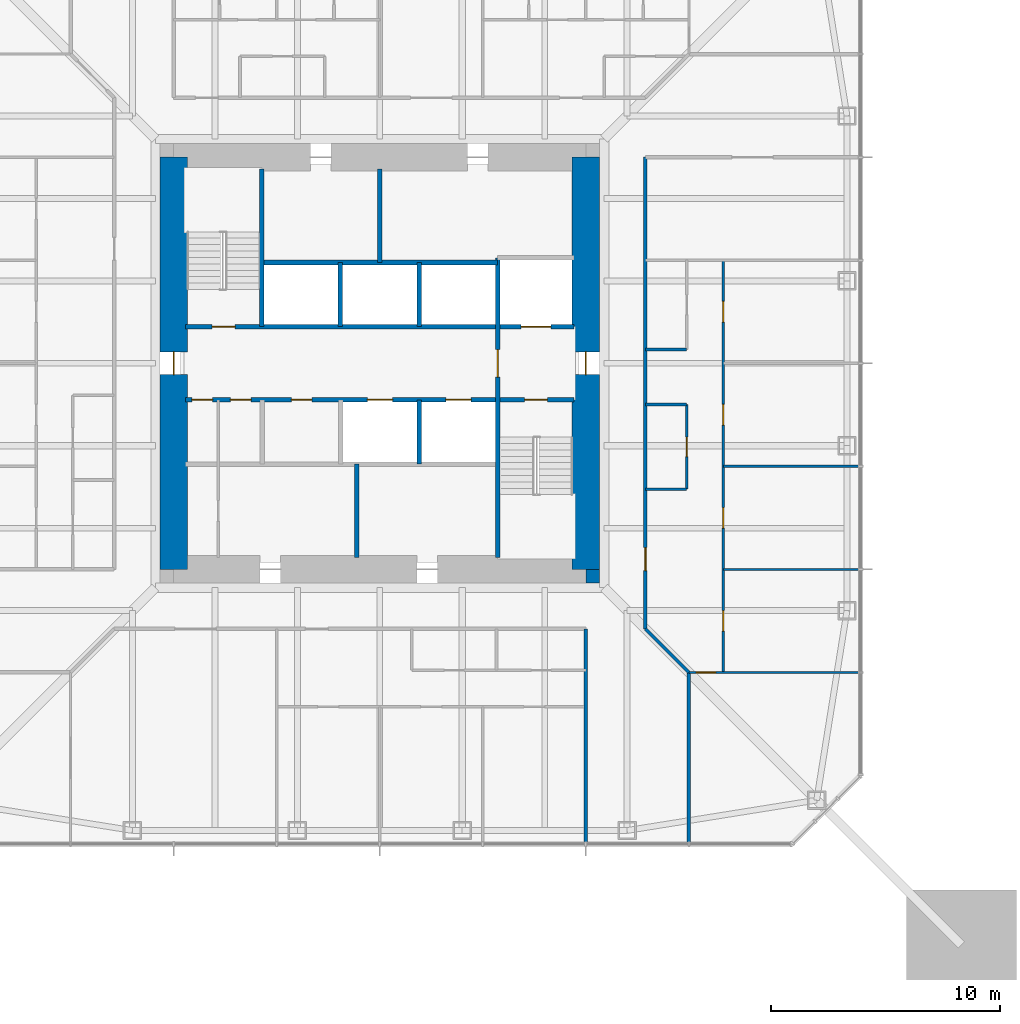
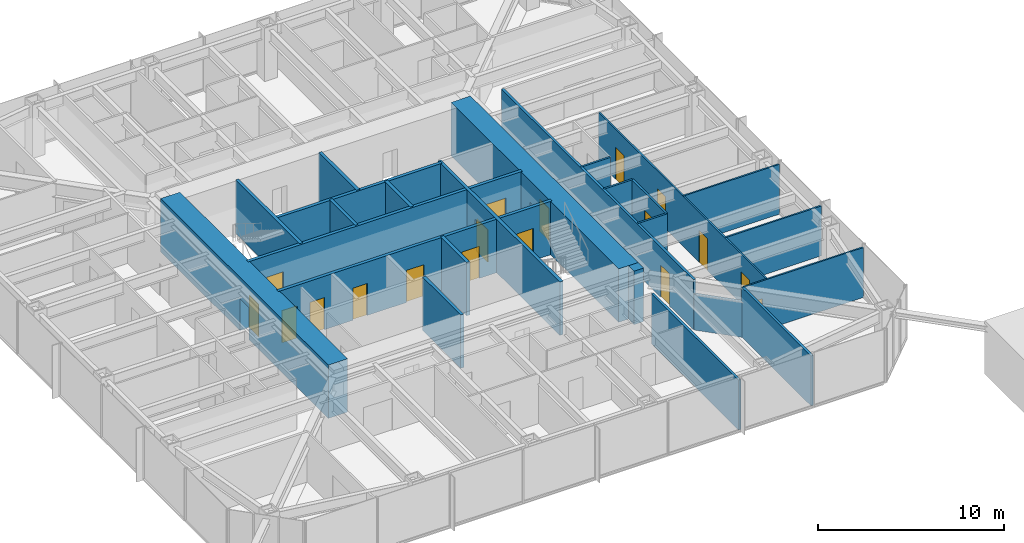
# One storey, part 14 of 25: 25 walls, 18 doors, 18 openings.
"""IFC4 building model written with IfcOpenShell, lengths in metres."""

from ifc_helpers import new_model, si_unit, direction, frame, frame_2d, origin, place, context, subcontext, project, spatial, rectangle, extrude, material, layer, layer_set, type_object, element, fill, save


model = new_model("IFC4")

# Units and contexts
model_context = context("Model", 3, precision=1e-05, world=origin(), true_north=direction((0.0, 1.0)))
body_context = subcontext(model_context, "Body", "Model", "MODEL_VIEW")
ifc_project = project(units=[si_unit("LENGTHUNIT", "METRE"), si_unit("AREAUNIT", "SQUARE_METRE"), si_unit("VOLUMEUNIT", "CUBIC_METRE"), si_unit("PLANEANGLEUNIT", "RADIAN"), si_unit("MASSUNIT", "GRAM", prefix="KILO")], contexts=[model_context])

# Site, building, storey
site_placement = place(None, origin())
site = spatial("IfcSite", under=ifc_project, at=site_placement, CompositionType="ELEMENT")
building_placement = place(site_placement, origin())
building = spatial("IfcBuilding", under=site, at=building_placement, Name="Iwan Alto Co-Living Towers", CompositionType="ELEMENT")
storey_placement = place(building_placement, frame((0.0, 0.0, 105.0)))
storey = spatial("IfcBuildingStorey", under=building, at=storey_placement, Name="L28", CompositionType="ELEMENT", Elevation=105.0)

# Wall
ifc_material_1 = material(Name="Gypsum board")
ifc_layer_1 = layer(ifc_material_1, 0.02490234375, Name="Board", Category="Finish")
ifc_material_2 = material(Name="Steel ASTM A1003 ST33H cold-formed studs", Category="steel")
ifc_layer_2 = layer(ifc_material_2, 0.10009765625, Name="Studs", Category="Framing")
ifc_layer_3 = layer(ifc_material_1, 0.02490234375, Name="Board", Category="Finish")
ifc_layer_set_1 = layer_set([ifc_layer_1, ifc_layer_2, ifc_layer_3], Name="CORRIDOR WALL 150")
wall_type_1 = type_object("IfcWallType", Name="CORRIDOR WALL 150", PredefinedType="PARTITIONING", material=ifc_layer_set_1)
wall_1_placement = place(storey_placement, frame((13.5, -20.93994140625, 0.0), z_axis=(0.0, 0.0, 1.0), x_axis=(0.0, 1.0, 0.0)))
element("IfcWall", 1, at=wall_1_placement, inside=storey, type_object=wall_type_1, Name="Partition L28", PredefinedType="PARTITIONING", context=body_context, shape_type="SweptSolid", body=[
    extrude(rectangle(XDim=7.43994140625, YDim=0.14990234375, at=frame_2d((3.719970703125, 0.0))), origin(), (0.0, 0.0, 1.0), 3.27001953125),
])

# Wall, opening, door
wall_2_placement = place(storey_placement, frame((11.60009765625, -11.60009765625, 0.0), z_axis=(0.0, 0.0, 1.0), x_axis=(0.0, 1.0, 0.0)))
wall_2 = element("IfcWall", 2, at=wall_2_placement, inside=storey, type_object=wall_type_1, Name="Partition L28", PredefinedType="PARTITIONING", context=body_context, shape_type="SweptSolid", body=[
    extrude(rectangle(XDim=20.60009765625, YDim=0.14990234375, at=frame_2d((10.300048828125, 0.0))), origin(), (0.0, 0.0, 1.0), 3.27001953125),
])
opening_1_placement = place(wall_2_placement, frame((2.550048828125, 0.0, 0.0)))
opening_1 = element("IfcOpeningElement", 3, at=opening_1_placement, cuts=wall_2, Name="Opening D3", PredefinedType="OPENING", context=body_context, shape_type="SweptSolid", body=[
    extrude(rectangle(XDim=1.0, YDim=2.10009765625, at=frame_2d((0.5, 1.050048828125))), frame((0.0, 0.0849609375, 0.0), z_axis=(0.0, -1.0, 0.0), x_axis=(1.0, 0.0, 0.0)), (0.0, 0.0, 1.0), 0.169921875),
])
ifc_material_3 = material(Name="Steel frame with timber leaf", Category="steel")
door_type_1 = type_object("IfcDoorType", Name="FLAT ENTRANCE DOOR FD30S 1000X2100", OperationType="SINGLE_SWING_LEFT", PredefinedType="DOOR", material=ifc_material_3)
door_1_placement = place(opening_1_placement, frame((1.0, 0.0, 0.0), z_axis=(0.0, 0.0, 1.0), x_axis=(-1.0, 0.0, 0.0)))
door_1 = element("IfcDoor", 4, at=door_1_placement, inside=storey, type_object=door_type_1, Name="Cluster lounge door L28", OperationType="SINGLE_SWING_LEFT", OverallHeight=2.10009765625, OverallWidth=1.0, PredefinedType="DOOR", context=body_context, shape_type="SweptSolid", body=[
    extrude(rectangle(XDim=1.0, YDim=2.10009765625, at=frame_2d((0.5, 1.050048828125))), frame((0.0, 0.02490234375, 0.0), z_axis=(0.0, -1.0, 0.0), x_axis=(1.0, 0.0, 0.0)), (0.0, 0.0, 1.0), 0.050048828125),
])
fill(opening_1, door_1)

# Walls
wall_3_placement = place(storey_placement, frame((9.0, -20.93994140625, 0.0), z_axis=(0.0, 0.0, 1.0), x_axis=(0.0, 1.0, 0.0)))
element("IfcWall", 5, at=wall_3_placement, inside=storey, type_object=wall_type_1, Name="Partition L28", PredefinedType="PARTITIONING", context=body_context, shape_type="SweptSolid", body=[
    extrude(rectangle(XDim=9.33984375, YDim=0.14990234375, at=frame_2d((4.669921875, 0.0))), origin(), (0.0, 0.0, 1.0), 3.27001953125),
])
wall_4_placement = place(storey_placement, frame((13.5, -13.5, 0.0), z_axis=(0.0, 0.0, 1.0), x_axis=(-0.707106781187, 0.707106781187, 0.0)))
element("IfcWall", 6, at=wall_4_placement, inside=storey, type_object=wall_type_1, Name="Partition L28", PredefinedType="PARTITIONING", context=body_context, shape_type="SweptSolid", body=[
    extrude(rectangle(XDim=2.686767578125, YDim=0.14990234375, at=frame_2d((1.34326171875, 0.0))), origin(), (0.0, 0.0, 1.0), 2.343017578125),
])

# Wall, opening, door
ifc_layer_4 = layer(ifc_material_1, 0.012451171875, Name="Board", Category="Finish")
ifc_layer_5 = layer(ifc_material_2, 0.074951171875, Name="Studs", Category="Framing")
ifc_layer_6 = layer(ifc_material_1, 0.012451171875, Name="Board", Category="Finish")
ifc_layer_set_2 = layer_set([ifc_layer_4, ifc_layer_5, ifc_layer_6], Name="PARTITION 100")
wall_type_2 = type_object("IfcWallType", Name="PARTITION 100", PredefinedType="PARTITIONING", material=ifc_layer_set_2)
wall_5_placement = place(storey_placement, frame((13.5, -13.5, 0.0), z_axis=(0.0, 0.0, 1.0), x_axis=(1.0, 0.0, 0.0)))
wall_5 = element("IfcWall", 7, at=wall_5_placement, inside=storey, type_object=wall_type_2, Name="Partition L28", PredefinedType="PARTITIONING", context=body_context, shape_type="SweptSolid", body=[
    extrude(rectangle(XDim=7.43994140625, YDim=0.10009765625, at=frame_2d((3.719970703125, 0.0))), origin(), (0.0, 0.0, 1.0), 3.27001953125),
])
opening_2_placement = place(wall_5_placement, frame((0.324951171875, 0.0, 0.0)))
opening_2 = element("IfcOpeningElement", 8, at=opening_2_placement, cuts=wall_5, Name="Opening D2", PredefinedType="OPENING", context=body_context, shape_type="SweptSolid", body=[
    extrude(rectangle(XDim=0.85009765625, YDim=2.10009765625, at=frame_2d((0.425048828125, 1.050048828125))), frame((0.0, 0.06005859375, 0.0), z_axis=(0.0, -1.0, 0.0), x_axis=(1.0, 0.0, 0.0)), (0.0, 0.0, 1.0), 0.1201171875),
])
ifc_material_4 = material(Name="Timber leaf in steel frame", Category="steel")
door_type_2 = type_object("IfcDoorType", Name="ROOM DOOR 850X2100", OperationType="SINGLE_SWING_LEFT", PredefinedType="DOOR", material=ifc_material_4)
door_2_placement = place(opening_2_placement, frame((0.85009765625, 0.0, 0.0), z_axis=(0.0, 0.0, 1.0), x_axis=(-1.0, 0.0, 0.0)))
door_2 = element("IfcDoor", 9, at=door_2_placement, inside=storey, type_object=door_type_2, Name="Shared kitchen and lounge door L28", OperationType="SINGLE_SWING_RIGHT", OverallHeight=2.10009765625, OverallWidth=0.85009765625, PredefinedType="DOOR", context=body_context, shape_type="SweptSolid", body=[
    extrude(rectangle(XDim=0.85009765625, YDim=2.10009765625, at=frame_2d((0.425048828125, 1.050048828125))), frame((0.0, 0.02490234375, 0.0), z_axis=(0.0, -1.0, 0.0), x_axis=(1.0, 0.0, 0.0)), (0.0, 0.0, 1.0), 0.050048828125),
])
fill(opening_2, door_2)

# Walls
for number, where, z_axis, x_axis, name in (
    (10, (15.0, -9.0, 0.0), (0.0, 0.0, 1.0), (1.0, 0.0, 0.0), "Partition L28"),
    (11, (15.0, -4.5, 0.0), (0.0, 0.0, 1.0), (1.0, 0.0, 0.0), "Partition L28"),
):
    element("IfcWall", number, at=place(storey_placement, frame(where, z_axis=z_axis, x_axis=x_axis)), inside=storey, type_object=wall_type_2, Name=name, PredefinedType="PARTITIONING", context=body_context, shape_type="SweptSolid", body=[
        extrude(rectangle(XDim=5.93994140625, YDim=0.10009765625, at=frame_2d((2.969970703125, 0.0))), origin(), (0.0, 0.0, 1.0), 3.27001953125),
    ])

# Wall, openings, doors
wall_6_placement = place(storey_placement, frame((15.0, -13.5, 0.0), z_axis=(0.0, 0.0, 1.0), x_axis=(0.0, 1.0, 0.0)))
wall_6 = element("IfcWall", 12, at=wall_6_placement, inside=storey, type_object=wall_type_2, Name="Partition L28", PredefinedType="PARTITIONING", context=body_context, shape_type="SweptSolid", body=[
    extrude(rectangle(XDim=18.0, YDim=0.10009765625, at=frame_2d((9.0, 0.0))), origin(), (0.0, 0.0, 1.0), 3.27001953125),
])
opening_3_placement = place(wall_6_placement, frame((1.800048828125, 0.0, 0.0)))
opening_3 = element("IfcOpeningElement", 13, at=opening_3_placement, cuts=wall_6, Name="Opening D1", PredefinedType="OPENING", context=body_context, shape_type="SweptSolid", body=[
    extrude(rectangle(XDim=0.89990234375, YDim=2.10009765625, at=frame_2d((0.449951171875, 1.050048828125))), frame((0.0, 0.06005859375, 0.0), z_axis=(0.0, -1.0, 0.0), x_axis=(1.0, 0.0, 0.0)), (0.0, 0.0, 1.0), 0.1201171875),
])
opening_4_placement = place(wall_6_placement, frame((6.300048828125, 0.0, 0.0)))
opening_4 = element("IfcOpeningElement", 14, at=opening_4_placement, cuts=wall_6, Name="Opening D1", PredefinedType="OPENING", context=body_context, shape_type="SweptSolid", body=[
    extrude(rectangle(XDim=0.89990234375, YDim=2.10009765625, at=frame_2d((0.449951171875, 1.050048828125))), frame((0.0, 0.06005859375, 0.0), z_axis=(0.0, -1.0, 0.0), x_axis=(1.0, 0.0, 0.0)), (0.0, 0.0, 1.0), 0.1201171875),
])
opening_5_placement = place(wall_6_placement, frame((10.800048828125, 0.0, 0.0)))
opening_5 = element("IfcOpeningElement", 15, at=opening_5_placement, cuts=wall_6, Name="Opening D1", PredefinedType="OPENING", context=body_context, shape_type="SweptSolid", body=[
    extrude(rectangle(XDim=0.89990234375, YDim=2.10009765625, at=frame_2d((0.449951171875, 1.050048828125))), frame((0.0, 0.06005859375, 0.0), z_axis=(0.0, -1.0, 0.0), x_axis=(1.0, 0.0, 0.0)), (0.0, 0.0, 1.0), 0.1201171875),
])
opening_6_placement = place(wall_6_placement, frame((15.300048828125, 0.0, 0.0)))
opening_6 = element("IfcOpeningElement", 16, at=opening_6_placement, cuts=wall_6, Name="Opening D1", PredefinedType="OPENING", context=body_context, shape_type="SweptSolid", body=[
    extrude(rectangle(XDim=0.89990234375, YDim=2.10009765625, at=frame_2d((0.449951171875, 1.050048828125))), frame((0.0, 0.06005859375, 0.0), z_axis=(0.0, -1.0, 0.0), x_axis=(1.0, 0.0, 0.0)), (0.0, 0.0, 1.0), 0.1201171875),
])
ifc_material_5 = material(Name="Timber leaf in steel frame", Category="steel")
door_type_3 = type_object("IfcDoorType", Name="BEDROOM DOOR 900X2100", OperationType="SINGLE_SWING_LEFT", PredefinedType="DOOR", material=ifc_material_5)
door_3_placement = place(opening_3_placement, origin())
door_3 = element("IfcDoor", 17, at=door_3_placement, inside=storey, type_object=door_type_3, Name="Study bedroom door L28", OperationType="SINGLE_SWING_LEFT", OverallHeight=2.10009765625, OverallWidth=0.89990234375, PredefinedType="DOOR", context=body_context, shape_type="SweptSolid", body=[
    extrude(rectangle(XDim=0.89990234375, YDim=2.10009765625, at=frame_2d((0.449951171875, 1.050048828125))), frame((0.0, 0.02490234375, 0.0), z_axis=(0.0, -1.0, 0.0), x_axis=(1.0, 0.0, 0.0)), (0.0, 0.0, 1.0), 0.050048828125),
])
fill(opening_3, door_3)
door_4_placement = place(opening_4_placement, origin())
door_4 = element("IfcDoor", 18, at=door_4_placement, inside=storey, type_object=door_type_3, Name="Study bedroom door L28", OperationType="SINGLE_SWING_LEFT", OverallHeight=2.10009765625, OverallWidth=0.89990234375, PredefinedType="DOOR", context=body_context, shape_type="SweptSolid", body=[
    extrude(rectangle(XDim=0.89990234375, YDim=2.10009765625, at=frame_2d((0.449951171875, 1.050048828125))), frame((0.0, 0.02490234375, 0.0), z_axis=(0.0, -1.0, 0.0), x_axis=(1.0, 0.0, 0.0)), (0.0, 0.0, 1.0), 0.050048828125),
])
fill(opening_4, door_4)
door_5_placement = place(opening_5_placement, origin())
door_5 = element("IfcDoor", 19, at=door_5_placement, inside=storey, type_object=door_type_3, Name="Study bedroom door L28", OperationType="SINGLE_SWING_RIGHT", OverallHeight=2.10009765625, OverallWidth=0.89990234375, PredefinedType="DOOR", context=body_context, shape_type="SweptSolid", body=[
    extrude(rectangle(XDim=0.89990234375, YDim=2.10009765625, at=frame_2d((0.449951171875, 1.050048828125))), frame((0.0, 0.02490234375, 0.0), z_axis=(0.0, -1.0, 0.0), x_axis=(1.0, 0.0, 0.0)), (0.0, 0.0, 1.0), 0.050048828125),
])
fill(opening_5, door_5)
door_6_placement = place(opening_6_placement, origin())
door_6 = element("IfcDoor", 20, at=door_6_placement, inside=storey, type_object=door_type_3, Name="Study bedroom door L28", OperationType="SINGLE_SWING_RIGHT", OverallHeight=2.10009765625, OverallWidth=0.89990234375, PredefinedType="DOOR", context=body_context, shape_type="SweptSolid", body=[
    extrude(rectangle(XDim=0.89990234375, YDim=2.10009765625, at=frame_2d((0.449951171875, 1.050048828125))), frame((0.0, 0.02490234375, 0.0), z_axis=(0.0, -1.0, 0.0), x_axis=(1.0, 0.0, 0.0)), (0.0, 0.0, 1.0), 0.050048828125),
])
fill(opening_6, door_6)

ifc_material_6 = material(Name="Concrete f'c 70 MPa", Category="concrete")
ifc_layer_7 = layer(ifc_material_6, 0.199951171875)
ifc_layer_set_3 = layer_set([ifc_layer_7], Name="SHAFT WALL 200")
wall_type_3 = type_object("IfcWallType", Name="SHAFT WALL 200", PredefinedType="SOLIDWALL", material=ifc_layer_set_3)
wall_7_placement = place(storey_placement, frame((-8.489990234375, -1.60009765625, 0.0), z_axis=(0.0, 0.0, 1.0), x_axis=(1.0, 0.0, 0.0)))
wall_7 = element("IfcWall", 21, at=wall_7_placement, inside=storey, type_object=wall_type_3, Name="Shaft wall L28", PredefinedType="SOLIDWALL", context=body_context, shape_type="SweptSolid", body=[
    extrude(rectangle(XDim=16.97998046875, YDim=0.199951171875, at=frame_2d((8.489990234375, 0.0))), origin(), (0.0, 0.0, 1.0), 3.5),
])
opening_7_placement = place(wall_7_placement, frame((14.81005859375, 0.0, 0.0)))
opening_7 = element("IfcOpeningElement", 22, at=opening_7_placement, cuts=wall_7, Name="Opening D5", PredefinedType="OPENING", context=body_context, shape_type="SweptSolid", body=[
    extrude(rectangle(XDim=1.0, YDim=2.10009765625, at=frame_2d((0.5, 1.050048828125))), frame((0.0, 0.10986328125, 0.0), z_axis=(0.0, -1.0, 0.0), x_axis=(1.0, 0.0, 0.0)), (0.0, 0.0, 1.0), 0.219970703125),
])
opening_8_placement = place(wall_7_placement, frame((1.972900390625, 0.0, 0.0)))
opening_8 = element("IfcOpeningElement", 23, at=opening_8_placement, cuts=wall_7, Name="Opening D15", PredefinedType="OPENING", context=body_context, shape_type="SweptSolid", body=[
    extrude(rectangle(XDim=0.89990234375, YDim=2.10009765625, at=frame_2d((0.449951171875, 1.050048828125))), frame((0.0, 0.10986328125, 0.0), z_axis=(0.0, -1.0, 0.0), x_axis=(1.0, 0.0, 0.0)), (0.0, 0.0, 1.0), 0.219970703125),
])
opening_9_placement = place(wall_7_placement, frame((0.2900390625, 0.0, 0.0)))
opening_9 = element("IfcOpeningElement", 24, at=opening_9_placement, cuts=wall_7, Name="Opening D15", PredefinedType="OPENING", context=body_context, shape_type="SweptSolid", body=[
    extrude(rectangle(XDim=0.89990234375, YDim=2.10009765625, at=frame_2d((0.449951171875, 1.050048828125))), frame((0.0, 0.10986328125, 0.0), z_axis=(0.0, -1.0, 0.0), x_axis=(1.0, 0.0, 0.0)), (0.0, 0.0, 1.0), 0.219970703125),
])
opening_10_placement = place(wall_7_placement, frame((4.626953125, 0.0, 0.0)))
opening_10 = element("IfcOpeningElement", 25, at=opening_10_placement, cuts=wall_7, Name="Opening D15", PredefinedType="OPENING", context=body_context, shape_type="SweptSolid", body=[
    extrude(rectangle(XDim=0.89990234375, YDim=2.10009765625, at=frame_2d((0.449951171875, 1.050048828125))), frame((0.0, 0.10986328125, 0.0), z_axis=(0.0, -1.0, 0.0), x_axis=(1.0, 0.0, 0.0)), (0.0, 0.0, 1.0), 0.219970703125),
])
opening_11_placement = place(wall_7_placement, frame((7.952880859375, 0.0, 0.0)))
opening_11 = element("IfcOpeningElement", 26, at=opening_11_placement, cuts=wall_7, Name="Opening LD", PredefinedType="OPENING", context=body_context, shape_type="SweptSolid", body=[
    extrude(rectangle(XDim=1.10009765625, YDim=2.10009765625, at=frame_2d((0.550048828125, 1.050048828125))), frame((0.0, 0.10986328125, 0.0), z_axis=(0.0, -1.0, 0.0), x_axis=(1.0, 0.0, 0.0)), (0.0, 0.0, 1.0), 0.219970703125),
])
opening_12_placement = place(wall_7_placement, frame((11.3779296875, 0.0, 0.0)))
opening_12 = element("IfcOpeningElement", 27, at=opening_12_placement, cuts=wall_7, Name="Opening LD", PredefinedType="OPENING", context=body_context, shape_type="SweptSolid", body=[
    extrude(rectangle(XDim=1.10009765625, YDim=2.10009765625, at=frame_2d((0.550048828125, 1.050048828125))), frame((0.0, 0.10986328125, 0.0), z_axis=(0.0, -1.0, 0.0), x_axis=(1.0, 0.0, 0.0)), (0.0, 0.0, 1.0), 0.219970703125),
])
ifc_material_7 = material(Name="Steel frame with timber leaf", Category="steel")
door_type_4 = type_object("IfcDoorType", Name="CORE ROOM DOOR FD60S 900X2100", OperationType="SINGLE_SWING_LEFT", PredefinedType="DOOR", material=ifc_material_7)
door_7_placement = place(opening_8_placement, frame((0.89990234375, 0.0, 0.0), z_axis=(0.0, 0.0, 1.0), x_axis=(-1.0, 0.0, 0.0)))
door_7 = element("IfcDoor", 28, at=door_7_placement, inside=storey, type_object=door_type_4, Name="Cleaner's store door L28", OperationType="SINGLE_SWING_RIGHT", OverallHeight=2.10009765625, OverallWidth=0.89990234375, PredefinedType="DOOR", context=body_context, shape_type="SweptSolid", body=[
    extrude(rectangle(XDim=0.89990234375, YDim=2.10009765625, at=frame_2d((0.449951171875, 1.050048828125))), frame((0.0, 0.02490234375, 0.0), z_axis=(0.0, -1.0, 0.0), x_axis=(1.0, 0.0, 0.0)), (0.0, 0.0, 1.0), 0.050048828125),
])
fill(opening_8, door_7)
door_8_placement = place(opening_9_placement, frame((0.89990234375, 0.0, 0.0), z_axis=(0.0, 0.0, 1.0), x_axis=(-1.0, 0.0, 0.0)))
door_8 = element("IfcDoor", 29, at=door_8_placement, inside=storey, type_object=door_type_4, Name="Vending and ice room door L28", OperationType="SINGLE_SWING_LEFT", OverallHeight=2.10009765625, OverallWidth=0.89990234375, PredefinedType="DOOR", context=body_context, shape_type="SweptSolid", body=[
    extrude(rectangle(XDim=0.89990234375, YDim=2.10009765625, at=frame_2d((0.449951171875, 1.050048828125))), frame((0.0, 0.02490234375, 0.0), z_axis=(0.0, -1.0, 0.0), x_axis=(1.0, 0.0, 0.0)), (0.0, 0.0, 1.0), 0.050048828125),
])
fill(opening_9, door_8)
door_9_placement = place(opening_10_placement, frame((0.89990234375, 0.0, 0.0), z_axis=(0.0, 0.0, 1.0), x_axis=(-1.0, 0.0, 0.0)))
door_9 = element("IfcDoor", 30, at=door_9_placement, inside=storey, type_object=door_type_4, Name="Staff WC door L28", OperationType="SINGLE_SWING_RIGHT", OverallHeight=2.10009765625, OverallWidth=0.89990234375, PredefinedType="DOOR", context=body_context, shape_type="SweptSolid", body=[
    extrude(rectangle(XDim=0.89990234375, YDim=2.10009765625, at=frame_2d((0.449951171875, 1.050048828125))), frame((0.0, 0.02490234375, 0.0), z_axis=(0.0, -1.0, 0.0), x_axis=(1.0, 0.0, 0.0)), (0.0, 0.0, 1.0), 0.050048828125),
])
fill(opening_10, door_9)
ifc_material_8 = material(Name="Steel frame with timber leaf", Category="steel")
door_type_5 = type_object("IfcDoorType", Name="LIFT LANDING DOOR 1100X2100", OperationType="DOUBLE_DOOR_SLIDING", PredefinedType="DOOR", material=ifc_material_8)
door_10_placement = place(opening_11_placement, origin())
door_10 = element("IfcDoor", 31, at=door_10_placement, inside=storey, type_object=door_type_5, Name="Lift P2-3 landing door L28", OperationType="DOUBLE_DOOR_SLIDING", OverallHeight=2.10009765625, OverallWidth=1.10009765625, PredefinedType="DOOR", context=body_context, shape_type="SweptSolid", body=[
    extrude(rectangle(XDim=1.10009765625, YDim=2.10009765625, at=frame_2d((0.550048828125, 1.050048828125))), frame((0.0, 0.02490234375, 0.0), z_axis=(0.0, -1.0, 0.0), x_axis=(1.0, 0.0, 0.0)), (0.0, 0.0, 1.0), 0.050048828125),
])
fill(opening_11, door_10)
door_11_placement = place(opening_12_placement, origin())
door_11 = element("IfcDoor", 32, at=door_11_placement, inside=storey, type_object=door_type_5, Name="Lift P2-4 landing door L28", OperationType="DOUBLE_DOOR_SLIDING", OverallHeight=2.10009765625, OverallWidth=1.10009765625, PredefinedType="DOOR", context=body_context, shape_type="SweptSolid", body=[
    extrude(rectangle(XDim=1.10009765625, YDim=2.10009765625, at=frame_2d((0.550048828125, 1.050048828125))), frame((0.0, 0.02490234375, 0.0), z_axis=(0.0, -1.0, 0.0), x_axis=(1.0, 0.0, 0.0)), (0.0, 0.0, 1.0), 0.050048828125),
])
fill(opening_12, door_11)
ifc_material_9 = material(Name="Steel frame with timber leaf", Category="steel")
door_type_6 = type_object("IfcDoorType", Name="STAIR DOOR FD120S 1000X2100", OperationType="SINGLE_SWING_LEFT", PredefinedType="DOOR", material=ifc_material_9)
door_12_placement = place(opening_7_placement, frame((1.0, 0.0, 0.0), z_axis=(0.0, 0.0, 1.0), x_axis=(-1.0, 0.0, 0.0)))
door_12 = element("IfcDoor", 33, at=door_12_placement, inside=storey, type_object=door_type_6, Name="Stair S2 door L28", OperationType="SINGLE_SWING_RIGHT", OverallHeight=2.10009765625, OverallWidth=1.0, PredefinedType="DOOR", context=body_context, shape_type="SweptSolid", body=[
    extrude(rectangle(XDim=1.0, YDim=2.10009765625, at=frame_2d((0.5, 1.050048828125))), frame((0.0, 0.02490234375, 0.0), z_axis=(0.0, -1.0, 0.0), x_axis=(1.0, 0.0, 0.0)), (0.0, 0.0, 1.0), 0.050048828125),
])
fill(opening_7, door_12)

wall_8_placement = place(storey_placement, frame((-8.489990234375, 1.60009765625, 0.0), z_axis=(0.0, 0.0, 1.0), x_axis=(1.0, 0.0, 0.0)))
wall_8 = element("IfcWall", 34, at=wall_8_placement, inside=storey, type_object=wall_type_3, Name="Shaft wall L28", PredefinedType="SOLIDWALL", context=body_context, shape_type="SweptSolid", body=[
    extrude(rectangle(XDim=16.97998046875, YDim=0.199951171875, at=frame_2d((8.489990234375, 0.0))), origin(), (0.0, 0.0, 1.0), 3.5),
])
opening_13_placement = place(wall_8_placement, frame((1.169921875, 0.0, 0.0)))
opening_13 = element("IfcOpeningElement", 35, at=opening_13_placement, cuts=wall_8, Name="Opening D5", PredefinedType="OPENING", context=body_context, shape_type="SweptSolid", body=[
    extrude(rectangle(XDim=1.0, YDim=2.10009765625, at=frame_2d((0.5, 1.050048828125))), frame((0.0, 0.10986328125, 0.0), z_axis=(0.0, -1.0, 0.0), x_axis=(1.0, 0.0, 0.0)), (0.0, 0.0, 1.0), 0.219970703125),
])
opening_14_placement = place(wall_8_placement, frame((14.659912109375, 0.0, 0.0)))
opening_14 = element("IfcOpeningElement", 36, at=opening_14_placement, cuts=wall_8, Name="Opening LD2", PredefinedType="OPENING", context=body_context, shape_type="SweptSolid", body=[
    extrude(rectangle(XDim=1.300048828125, YDim=2.10009765625, at=frame_2d((0.64990234375, 1.050048828125))), frame((0.0, 0.10986328125, 0.0), z_axis=(0.0, -1.0, 0.0), x_axis=(1.0, 0.0, 0.0)), (0.0, 0.0, 1.0), 0.219970703125),
])
ifc_material_10 = material(Name="Steel frame with timber leaf", Category="steel")
door_type_7 = type_object("IfcDoorType", Name="LIFT LANDING DOOR 1300X2100", OperationType="SLIDING_TO_LEFT", PredefinedType="DOOR", material=ifc_material_10)
door_13_placement = place(opening_14_placement, origin())
door_13 = element("IfcDoor", 37, at=door_13_placement, inside=storey, type_object=door_type_7, Name="Lift FL1 landing door L28", OperationType="SLIDING_TO_LEFT", OverallHeight=2.10009765625, OverallWidth=1.300048828125, PredefinedType="DOOR", context=body_context, shape_type="SweptSolid", body=[
    extrude(rectangle(XDim=1.300048828125, YDim=2.10009765625, at=frame_2d((0.64990234375, 1.050048828125))), frame((0.0, 0.02490234375, 0.0), z_axis=(0.0, -1.0, 0.0), x_axis=(1.0, 0.0, 0.0)), (0.0, 0.0, 1.0), 0.050048828125),
])
fill(opening_14, door_13)
door_14_placement = place(opening_13_placement, origin())
door_14 = element("IfcDoor", 38, at=door_14_placement, inside=storey, type_object=door_type_6, Name="Stair S1 door L28", OperationType="SINGLE_SWING_RIGHT", OverallHeight=2.10009765625, OverallWidth=1.0, PredefinedType="DOOR", context=body_context, shape_type="SweptSolid", body=[
    extrude(rectangle(XDim=1.0, YDim=2.10009765625, at=frame_2d((0.5, 1.050048828125))), frame((0.0, 0.02490234375, 0.0), z_axis=(0.0, -1.0, 0.0), x_axis=(1.0, 0.0, 0.0)), (0.0, 0.0, 1.0), 0.050048828125),
])
fill(opening_13, door_14)

# Wall
wall_9_placement = place(storey_placement, frame((-5.14990234375, 4.39990234375, 0.0), z_axis=(0.0, 0.0, 1.0), x_axis=(1.0, 0.0, 0.0)))
element("IfcWall", 39, at=wall_9_placement, inside=storey, type_object=wall_type_3, Name="Shaft wall L28", PredefinedType="SOLIDWALL", context=body_context, shape_type="SweptSolid", body=[
    extrude(rectangle(XDim=10.2998046875, YDim=0.199951171875, at=frame_2d((5.14990234375, 0.0))), origin(), (0.0, 0.0, 1.0), 3.5),
])

# Wall, opening, door
wall_10_placement = place(storey_placement, frame((5.14990234375, -8.489990234375, 0.0), z_axis=(0.0, 0.0, 1.0), x_axis=(0.0, 1.0, 0.0)))
wall_10 = element("IfcWall", 40, at=wall_10_placement, inside=storey, type_object=wall_type_3, Name="Shaft wall L28", PredefinedType="SOLIDWALL", context=body_context, shape_type="SweptSolid", body=[
    extrude(rectangle(XDim=13.090087890625, YDim=0.199951171875, at=frame_2d((6.544921875, 0.0))), origin(), (0.0, 0.0, 1.0), 3.5),
])
opening_15_placement = place(wall_10_placement, frame((7.889892578125, 0.0, 0.0)))
opening_15 = element("IfcOpeningElement", 41, at=opening_15_placement, cuts=wall_10, Name="Opening D6", PredefinedType="OPENING", context=body_context, shape_type="SweptSolid", body=[
    extrude(rectangle(XDim=1.199951171875, YDim=2.10009765625, at=frame_2d((0.60009765625, 1.050048828125))), frame((0.0, 0.10986328125, 0.0), z_axis=(0.0, -1.0, 0.0), x_axis=(1.0, 0.0, 0.0)), (0.0, 0.0, 1.0), 0.219970703125),
])
ifc_material_11 = material(Name="Steel frame with timber leaf", Category="steel")
door_type_8 = type_object("IfcDoorType", Name="LOBBY DOOR FD120S 1200X2100", OperationType="SINGLE_SWING_LEFT", PredefinedType="DOOR", material=ifc_material_11)
door_15_placement = place(opening_15_placement, frame((1.199951171875, 0.0, 0.0), z_axis=(0.0, 0.0, 1.0), x_axis=(-1.0, 0.0, 0.0)))
door_15 = element("IfcDoor", 42, at=door_15_placement, inside=storey, type_object=door_type_8, Name="Firefighting lobby door L28", OperationType="SINGLE_SWING_RIGHT", OverallHeight=2.10009765625, OverallWidth=1.199951171875, PredefinedType="DOOR", context=body_context, shape_type="SweptSolid", body=[
    extrude(rectangle(XDim=1.199951171875, YDim=2.10009765625, at=frame_2d((0.60009765625, 1.050048828125))), frame((0.0, 0.02490234375, 0.0), z_axis=(0.0, -1.0, 0.0), x_axis=(1.0, 0.0, 0.0)), (0.0, 0.0, 1.0), 0.050048828125),
])
fill(opening_15, door_15)

# Walls
for number, where, z_axis, x_axis, name in (
    (43, (1.72509765625, -4.39990234375, 0.0), (0.0, 0.0, 1.0), (0.0, 1.0, 0.0), "Shaft wall L28"),
    (44, (1.717041015625, 1.60009765625, 0.0), (0.0, 0.0, 1.0), (0.0, 1.0, 0.0), "Shaft wall L28"),
):
    element("IfcWall", number, at=place(storey_placement, frame(where, z_axis=z_axis, x_axis=x_axis)), inside=storey, type_object=wall_type_3, Name=name, PredefinedType="SOLIDWALL", context=body_context, shape_type="SweptSolid", body=[
        extrude(rectangle(XDim=2.7998046875, YDim=0.199951171875, at=frame_2d((1.39990234375, 0.0))), origin(), (0.0, 0.0, 1.0), 3.5),
    ])
for number, where, z_axis, x_axis, name in (
    (45, (0.0, 4.39990234375, 0.0), (0.0, 0.0, 1.0), (0.0, 1.0, 0.0), "Shaft wall L28"),
    (46, (-1.0, -8.489990234375, 0.0), (0.0, 0.0, 1.0), (0.0, 1.0, 0.0), "Shaft wall L28"),
):
    element("IfcWall", number, at=place(storey_placement, frame(where, z_axis=z_axis, x_axis=x_axis)), inside=storey, type_object=wall_type_3, Name=name, PredefinedType="SOLIDWALL", context=body_context, shape_type="SweptSolid", body=[
        extrude(rectangle(XDim=4.090087890625, YDim=0.199951171875, at=frame_2d((2.044921875, 0.0))), origin(), (0.0, 0.0, 1.0), 3.5),
    ])
wall_11_placement = place(storey_placement, frame((-1.717041015625, 1.60009765625, 0.0), z_axis=(0.0, 0.0, 1.0), x_axis=(0.0, 1.0, 0.0)))
element("IfcWall", 47, at=wall_11_placement, inside=storey, type_object=wall_type_3, Name="Shaft wall L28", PredefinedType="SOLIDWALL", context=body_context, shape_type="SweptSolid", body=[
    extrude(rectangle(XDim=2.7998046875, YDim=0.199951171875, at=frame_2d((1.39990234375, 0.0))), origin(), (0.0, 0.0, 1.0), 3.5),
])
wall_12_placement = place(storey_placement, frame((-5.14990234375, 1.60009765625, 0.0), z_axis=(0.0, 0.0, 1.0), x_axis=(0.0, 1.0, 0.0)))
element("IfcWall", 48, at=wall_12_placement, inside=storey, type_object=wall_type_3, Name="Shaft wall L28", PredefinedType="SOLIDWALL", context=body_context, shape_type="SweptSolid", body=[
    extrude(rectangle(XDim=6.889892578125, YDim=0.199951171875, at=frame_2d((3.44482421875, 0.0))), origin(), (0.0, 0.0, 1.0), 3.5),
])
ifc_material_12 = material(Name="Concrete f'c 70 MPa", Category="concrete")
ifc_layer_8 = layer(ifc_material_12, 0.60009765625)
ifc_layer_set_4 = layer_set([ifc_layer_8], Name="T1 CORE CORNER FILL 600")
wall_type_4 = type_object("IfcWallType", Name="T1 CORE CORNER FILL 600", PredefinedType="SOLIDWALL", material=ifc_layer_set_4)
wall_13_placement = place(storey_placement, frame((9.0, -9.300048828125, 0.0), z_axis=(0.0, 0.0, 1.0), x_axis=(1.0, 0.0, 0.0)))
element("IfcWall", 49, at=wall_13_placement, inside=storey, type_object=wall_type_4, Name="T1 core corner SE L28", PredefinedType="SOLIDWALL", context=body_context, shape_type="SweptSolid", body=[
    extrude(rectangle(XDim=0.60009765625, YDim=0.60009765625, at=frame_2d((0.300048828125, 0.0))), origin(), (0.0, 0.0, 1.0), 3.5),
])

# Wall, opening, door
ifc_material_13 = material(Name="Concrete f'c 70 MPa", Category="concrete")
ifc_layer_9 = layer(ifc_material_13, 1.199951171875)
ifc_layer_set_5 = layer_set([ifc_layer_9], Name="T1 CORE WALL 1200")
wall_type_5 = type_object("IfcWallType", Name="T1 CORE WALL 1200", PredefinedType="SHEAR", material=ifc_layer_set_5)
wall_14_placement = place(storey_placement, frame((9.0, -9.0, 0.0), z_axis=(0.0, 0.0, 1.0), x_axis=(0.0, 1.0, 0.0)))
wall_14 = element("IfcWall", 50, at=wall_14_placement, inside=storey, type_object=wall_type_5, Name="T1 core wall E L28", PredefinedType="SHEAR", context=body_context, shape_type="SweptSolid", body=[
    extrude(rectangle(XDim=18.0, YDim=1.199951171875, at=frame_2d((9.0, 0.0))), origin(), (0.0, 0.0, 1.0), 3.5),
])
opening_16_placement = place(wall_14_placement, frame((8.5, 0.0, 0.0)))
opening_16 = element("IfcOpeningElement", 51, at=opening_16_placement, cuts=wall_14, Name="Opening D7", PredefinedType="OPENING", context=body_context, shape_type="SweptSolid", body=[
    extrude(rectangle(XDim=1.0, YDim=2.10009765625, at=frame_2d((0.5, 1.050048828125))), frame((0.0, 0.60986328125, 0.0), z_axis=(0.0, -1.0, 0.0), x_axis=(1.0, 0.0, 0.0)), (0.0, 0.0, 1.0), 1.219970703125),
])
ifc_material_14 = material(Name="Steel frame with timber leaf", Category="steel")
door_type_9 = type_object("IfcDoorType", Name="CORE DOOR FD120S 1000X2100", OperationType="SINGLE_SWING_LEFT", PredefinedType="DOOR", material=ifc_material_14)
door_16_placement = place(opening_16_placement, origin())
door_16 = element("IfcDoor", 52, at=door_16_placement, inside=storey, type_object=door_type_9, Name="Firefighting lobby core door L28", OperationType="SINGLE_SWING_LEFT", OverallHeight=2.10009765625, OverallWidth=1.0, PredefinedType="DOOR", context=body_context, shape_type="SweptSolid", body=[
    extrude(rectangle(XDim=1.0, YDim=2.10009765625, at=frame_2d((0.5, 1.050048828125))), frame((0.0, 0.02490234375, 0.0), z_axis=(0.0, -1.0, 0.0), x_axis=(1.0, 0.0, 0.0)), (0.0, 0.0, 1.0), 0.050048828125),
])
fill(opening_16, door_16)

wall_15_placement = place(storey_placement, frame((-9.0, 9.0, 0.0), z_axis=(0.0, 0.0, 1.0), x_axis=(0.0, -1.0, 0.0)))
wall_15 = element("IfcWall", 53, at=wall_15_placement, inside=storey, type_object=wall_type_5, Name="T1 core wall W L28", PredefinedType="SHEAR", context=body_context, shape_type="SweptSolid", body=[
    extrude(rectangle(XDim=18.0, YDim=1.199951171875, at=frame_2d((9.0, 0.0))), origin(), (0.0, 0.0, 1.0), 3.5),
])
opening_17_placement = place(wall_15_placement, frame((8.5, 0.0, 0.0)))
opening_17 = element("IfcOpeningElement", 54, at=opening_17_placement, cuts=wall_15, Name="Opening D7", PredefinedType="OPENING", context=body_context, shape_type="SweptSolid", body=[
    extrude(rectangle(XDim=1.0, YDim=2.10009765625, at=frame_2d((0.5, 1.050048828125))), frame((0.0, 0.60986328125, 0.0), z_axis=(0.0, -1.0, 0.0), x_axis=(1.0, 0.0, 0.0)), (0.0, 0.0, 1.0), 1.219970703125),
])
door_17_placement = place(opening_17_placement, origin())
door_17 = element("IfcDoor", 55, at=door_17_placement, inside=storey, type_object=door_type_9, Name="Lift lobby core door L28", OperationType="SINGLE_SWING_RIGHT", OverallHeight=2.10009765625, OverallWidth=1.0, PredefinedType="DOOR", context=body_context, shape_type="SweptSolid", body=[
    extrude(rectangle(XDim=1.0, YDim=2.10009765625, at=frame_2d((0.5, 1.050048828125))), frame((0.0, 0.02490234375, 0.0), z_axis=(0.0, -1.0, 0.0), x_axis=(1.0, 0.0, 0.0)), (0.0, 0.0, 1.0), 0.050048828125),
])
fill(opening_17, door_17)

# Walls
ifc_material_15 = material(Name="Cement board")
ifc_layer_10 = layer(ifc_material_15, 0.012451171875, Name="Board", Category="Finish")
ifc_layer_11 = layer(ifc_material_2, 0.094970703125, Name="Studs", Category="Framing")
ifc_layer_12 = layer(ifc_material_15, 0.012451171875, Name="Board", Category="Finish")
ifc_layer_set_6 = layer_set([ifc_layer_10, ifc_layer_11, ifc_layer_12], Name="WET AREA PARTITION 120")
wall_type_6 = type_object("IfcWallType", Name="WET AREA PARTITION 120", PredefinedType="PARTITIONING", material=ifc_layer_set_6)
for number, where, z_axis, x_axis, name in (
    (56, (11.60009765625, -5.5, 0.0), (0.0, 0.0, 1.0), (1.0, 0.0, 0.0), "Partition L28"),
    (57, (11.60009765625, -1.800048828125, 0.0), (0.0, 0.0, 1.0), (1.0, 0.0, 0.0), "Partition L28"),
    (58, (11.60009765625, 0.60009765625, 0.0), (0.0, 0.0, 1.0), (1.0, 0.0, 0.0), "Partition L28"),
):
    element("IfcWall", number, at=place(storey_placement, frame(where, z_axis=z_axis, x_axis=x_axis)), inside=storey, type_object=wall_type_6, Name=name, PredefinedType="PARTITIONING", context=body_context, shape_type="SweptSolid", body=[
        extrude(rectangle(XDim=1.7998046875, YDim=0.1201171875, at=frame_2d((0.89990234375, 0.0))), origin(), (0.0, 0.0, 1.0), 3.27001953125),
    ])

# Wall, opening, door
wall_16_placement = place(storey_placement, frame((13.39990234375, -5.5, 0.0), z_axis=(0.0, 0.0, 1.0), x_axis=(0.0, 1.0, 0.0)))
wall_16 = element("IfcWall", 59, at=wall_16_placement, inside=storey, type_object=wall_type_6, Name="Partition L28", PredefinedType="PARTITIONING", context=body_context, shape_type="SweptSolid", body=[
    extrude(rectangle(XDim=3.699951171875, YDim=0.1201171875, at=frame_2d((1.85009765625, 0.0))), origin(), (0.0, 0.0, 1.0), 3.27001953125),
])
opening_18_placement = place(wall_16_placement, frame((1.425048828125, 0.0, 0.0)))
opening_18 = element("IfcOpeningElement", 60, at=opening_18_placement, cuts=wall_16, Name="Opening D2", PredefinedType="OPENING", context=body_context, shape_type="SweptSolid", body=[
    extrude(rectangle(XDim=0.85009765625, YDim=2.10009765625, at=frame_2d((0.425048828125, 1.050048828125))), frame((0.0, 0.070068359375, 0.0), z_axis=(0.0, -1.0, 0.0), x_axis=(1.0, 0.0, 0.0)), (0.0, 0.0, 1.0), 0.14013671875),
])
door_18_placement = place(opening_18_placement, frame((0.85009765625, 0.0, 0.0), z_axis=(0.0, 0.0, 1.0), x_axis=(-1.0, 0.0, 0.0)))
door_18 = element("IfcDoor", 61, at=door_18_placement, inside=storey, type_object=door_type_2, Name="Accessible bathroom door L28", OperationType="SINGLE_SWING_LEFT", OverallHeight=2.10009765625, OverallWidth=0.85009765625, PredefinedType="DOOR", context=body_context, shape_type="SweptSolid", body=[
    extrude(rectangle(XDim=0.85009765625, YDim=2.10009765625, at=frame_2d((0.425048828125, 1.050048828125))), frame((0.0, 0.02490234375, 0.0), z_axis=(0.0, -1.0, 0.0), x_axis=(1.0, 0.0, 0.0)), (0.0, 0.0, 1.0), 0.050048828125),
])
fill(opening_18, door_18)

save(model, "model.ifc")
